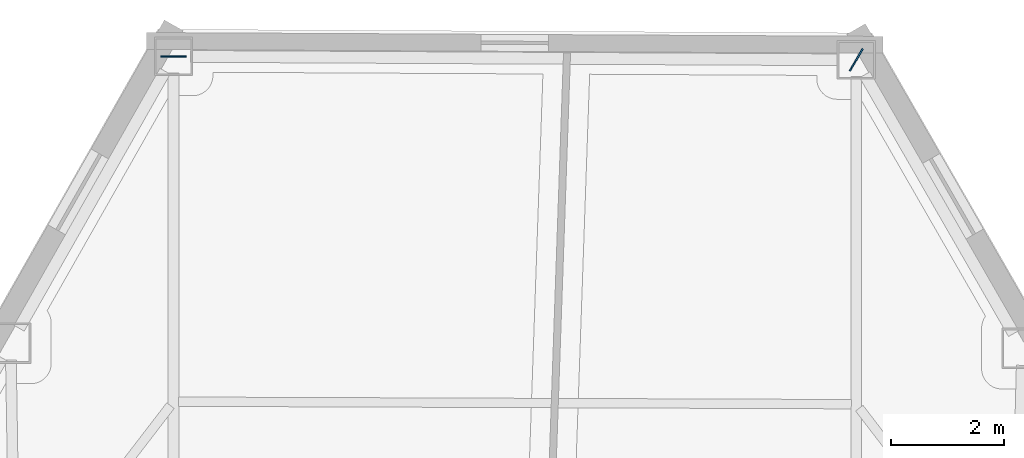
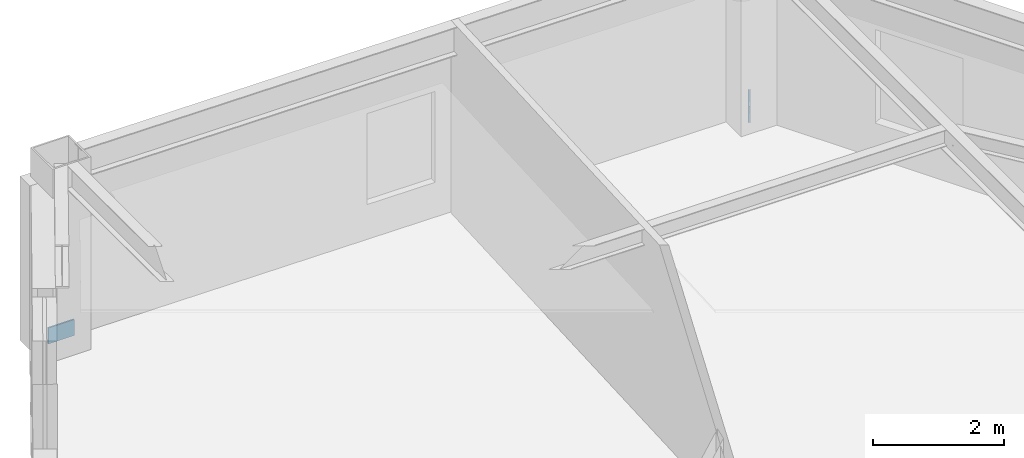
# One storey, part 6 of 12: 2 plates.
"""IFC4 building model written with IfcOpenShell, lengths in metres."""

from ifc_helpers import new_model, si_unit, direction, frame, origin, origin_2d, place, context, subcontext, project, spatial, rectangle, extrude, material, layer, layer_set, type_object, element, save


model = new_model("IFC4")

# Units and contexts
model_context = context("Model", 3, precision=1e-05, world=origin(), true_north=direction((0.0, 1.0)))
body_context = subcontext(model_context, "Body", "Model", "MODEL_VIEW")
ifc_project = project(units=[si_unit("LENGTHUNIT", "METRE"), si_unit("AREAUNIT", "SQUARE_METRE"), si_unit("VOLUMEUNIT", "CUBIC_METRE"), si_unit("PLANEANGLEUNIT", "RADIAN"), si_unit("MASSUNIT", "GRAM", prefix="KILO")], contexts=[model_context])

# Site, building, storey
site_placement = place(None, origin())
site = spatial("IfcSite", under=ifc_project, at=site_placement, CompositionType="ELEMENT")
building_placement = place(site_placement, origin())
building = spatial("IfcBuilding", under=site, at=building_placement, Name="Kavelnor Concourse Tower", CompositionType="ELEMENT")
storey_placement = place(building_placement, frame((0.0, 0.0, 104.75)))
storey = spatial("IfcBuildingStorey", under=building, at=storey_placement, Name="L26", CompositionType="ELEMENT", Elevation=104.75)

# Plates
ifc_material = material(Name="Steel Grade 350", Category="steel")
ifc_layer = layer(ifc_material, 0.028076171875, Name="Steel Grade 350")
ifc_layer_set = layer_set([ifc_layer], Name="Steel Grade 350")
plate_type = type_object("IfcPlateType", Name="PL-GUSSET-FOLD", PredefinedType="USERDEFINED", material=ifc_layer_set)
for number, where, z_axis, x_axis, name in (
    (1, (31.99072265625, 44.204345703125, 0.10009765625), (0.0, 0.0, 1.0), (1.0, 0.0, 0.0), "L26 Herringbone Corner-Fold Kink Gusset Plate F0-B0"),
    (2, (44.123291015625, 44.1416015625, 0.10009765625), (0.0, 0.0, 1.0), (-0.5, -0.866025403784, 0.0), "L26 Herringbone Corner-Fold Kink Gusset Plate F2-B6"),
):
    element("IfcPlate", number, at=place(storey_placement, frame(where, z_axis=z_axis, x_axis=x_axis)), inside=storey, type_object=plate_type, Name=name, ObjectType="GUSSET_PLATE", PredefinedType="USERDEFINED", context=body_context, shape_type="SweptSolid", body=[
        extrude(rectangle(XDim=0.4599609375, YDim=0.028076171875, at=origin_2d()), origin(), (0.0, 0.0, 1.0), 0.300048828125),
    ])

save(model, "model.ifc")
